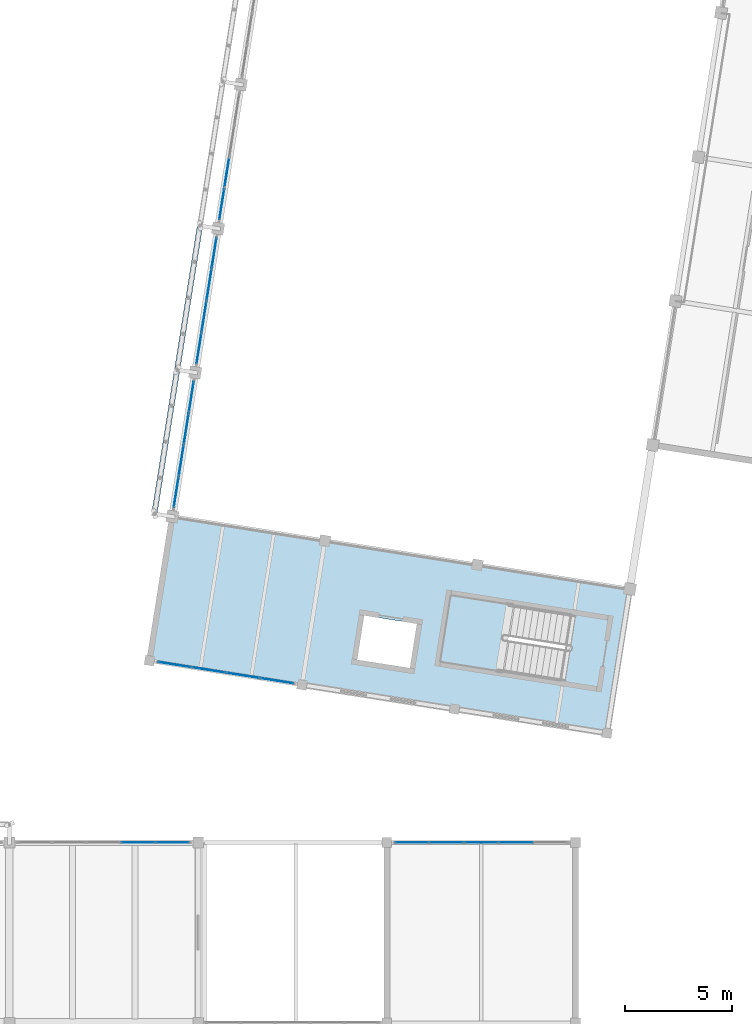
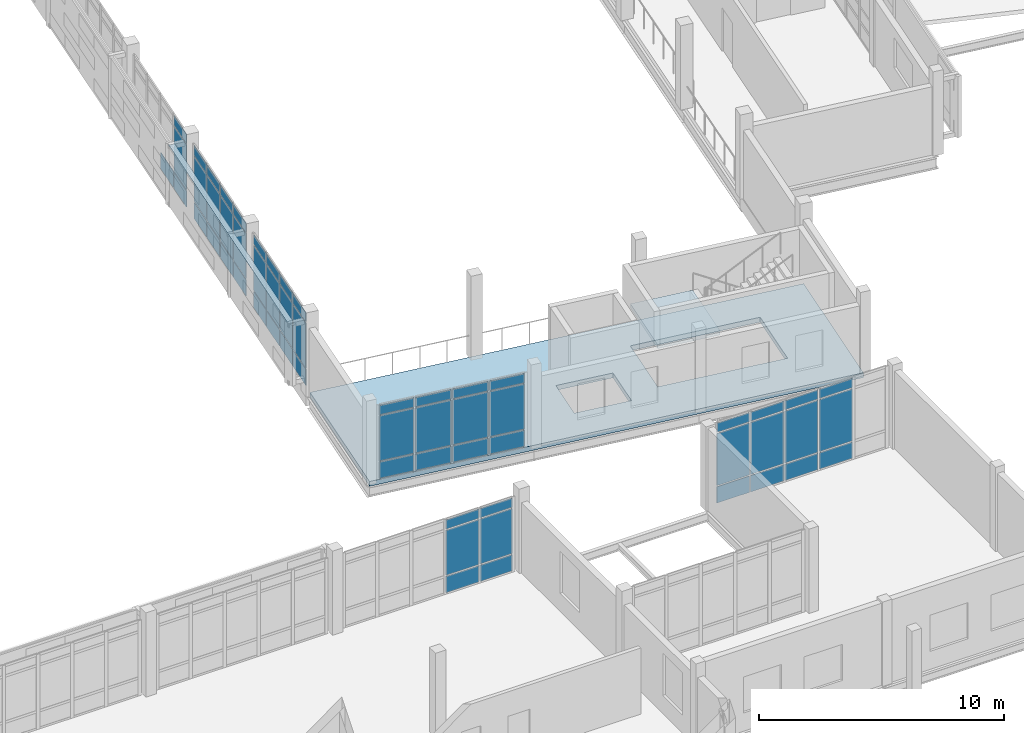
# One storey, part 97 of 137: 60 plates, 2 slabs, 7 elements without a shape of their own.
"""IFC4 building model written with IfcOpenShell, lengths in metres."""

from ifc_helpers import new_model, si_unit, direction, frame, origin, origin_2d, place, context, subcontext, project, spatial, polyline, rectangle, outline, extrude, material, layer, layer_set, type_object, element, aggregate, save


model = new_model("IFC4")

# Units and contexts
model_context = context("Model", 3, precision=1e-05, world=origin(), true_north=direction((0.0, 1.0)))
body_context = subcontext(model_context, "Body", "Model", "MODEL_VIEW")
ifc_project = project(units=[si_unit("LENGTHUNIT", "METRE"), si_unit("AREAUNIT", "SQUARE_METRE"), si_unit("VOLUMEUNIT", "CUBIC_METRE"), si_unit("PLANEANGLEUNIT", "RADIAN"), si_unit("MASSUNIT", "GRAM", prefix="KILO")], contexts=[model_context])

# Site, building, storey
site_placement = place(None, origin())
site = spatial("IfcSite", under=ifc_project, at=site_placement, CompositionType="ELEMENT")
building_placement = place(site_placement, origin())
building = spatial("IfcBuilding", under=site, at=building_placement, Name="Cinderway Yard Community Centre", CompositionType="ELEMENT")
storey_placement = place(building_placement, frame((0.0, 0.0, 4.800048828125)))
storey = spatial("IfcBuildingStorey", under=building, at=storey_placement, Name="L01", CompositionType="ELEMENT", Elevation=4.800048828125)

# Curtain wall, plates
ifc_material_1 = material(Name="Aluminium 6063-T6", Category="aluminium")
curtain_wall_type_1 = type_object("IfcCurtainWallType", Name="ENV-CW-TYPE-15", PredefinedType="USERDEFINED", material=ifc_material_1)
curtain_wall_1_placement = place(storey_placement, origin())
curtain_wall_1 = element("IfcCurtainWall", 1, at=curtain_wall_1_placement, inside=storey, type_object=curtain_wall_type_1, Name="Sports South Lobby Curtain Wall ENV-CW-L01-ST-0057", ObjectType="GLAZED CURTAIN WALL", PredefinedType="USERDEFINED")
ifc_material_2 = material(Name="Laminated Low-E Glass", Category="glass")
ifc_layer_1 = layer(ifc_material_2, 0.028076171875, Name="Laminated Low-E Glass")
ifc_layer_set_1 = layer_set([ifc_layer_1], Name="Laminated Low-E Glass")
plate_type_1 = type_object("IfcPlateType", Name="ENV-CW-PAN-IGU28", PredefinedType="CURTAIN_PANEL", material=ifc_layer_set_1)
plate_1_placement = place(storey_placement, frame((118.10693359375, 31.098876953125, 0.059814453125), z_axis=(0.0, 0.0, 1.0), x_axis=(0.987656379077, -0.156636128875, 0.0)))
plate_1 = element("IfcPlate", 2, at=plate_1_placement, type_object=plate_type_1, Name="CW-15 panel 1.1", PredefinedType="CURTAIN_PANEL", context=body_context, shape_type="SweptSolid", body=[
    extrude(rectangle(XDim=1.530029296875, YDim=0.028076171875, at=origin_2d()), origin(), (0.0, 0.0, 1.0), 0.81005859375),
])
plate_2_placement = place(storey_placement, frame((118.10693359375, 31.098876953125, 0.93017578125), z_axis=(0.0, 0.0, 1.0), x_axis=(0.987656379077, -0.156636128875, 0.0)))
plate_2 = element("IfcPlate", 3, at=plate_2_placement, type_object=plate_type_1, Name="CW-15 panel 1.2", PredefinedType="CURTAIN_PANEL", context=body_context, shape_type="SweptSolid", body=[
    extrude(rectangle(XDim=1.530029296875, YDim=0.028076171875, at=origin_2d()), origin(), (0.0, 0.0, 1.0), 2.239990234375),
])
plate_3_placement = place(storey_placement, frame((118.10693359375, 31.098876953125, 3.22998046875), z_axis=(0.0, 0.0, 1.0), x_axis=(0.987656379077, -0.156636128875, 0.0)))
plate_3 = element("IfcPlate", 4, at=plate_3_placement, type_object=plate_type_1, Name="CW-15 panel 1.3", PredefinedType="CURTAIN_PANEL", context=body_context, shape_type="SweptSolid", body=[
    extrude(rectangle(XDim=1.530029296875, YDim=0.028076171875, at=origin_2d()), origin(), (0.0, 0.0, 1.0), 0.4599609375),
])
plate_4_placement = place(storey_placement, frame((119.69189453125, 30.847412109375, 0.059814453125), z_axis=(0.0, 0.0, 1.0), x_axis=(0.987656379077, -0.156636128875, 0.0)))
plate_4 = element("IfcPlate", 5, at=plate_4_placement, type_object=plate_type_1, Name="CW-15 panel 2.1", PredefinedType="CURTAIN_PANEL", context=body_context, shape_type="SweptSolid", body=[
    extrude(rectangle(XDim=1.56005859375, YDim=0.028076171875, at=origin_2d()), origin(), (0.0, 0.0, 1.0), 0.81005859375),
])
plate_5_placement = place(storey_placement, frame((119.69189453125, 30.847412109375, 0.93017578125), z_axis=(0.0, 0.0, 1.0), x_axis=(0.987656379077, -0.156636128875, 0.0)))
plate_5 = element("IfcPlate", 6, at=plate_5_placement, type_object=plate_type_1, Name="CW-15 panel 2.2", PredefinedType="CURTAIN_PANEL", context=body_context, shape_type="SweptSolid", body=[
    extrude(rectangle(XDim=1.56005859375, YDim=0.028076171875, at=origin_2d()), origin(), (0.0, 0.0, 1.0), 2.239990234375),
])
plate_6_placement = place(storey_placement, frame((119.69189453125, 30.847412109375, 3.22998046875), z_axis=(0.0, 0.0, 1.0), x_axis=(0.987656379077, -0.156636128875, 0.0)))
plate_6 = element("IfcPlate", 7, at=plate_6_placement, type_object=plate_type_1, Name="CW-15 panel 2.3", PredefinedType="CURTAIN_PANEL", context=body_context, shape_type="SweptSolid", body=[
    extrude(rectangle(XDim=1.56005859375, YDim=0.028076171875, at=origin_2d()), origin(), (0.0, 0.0, 1.0), 0.4599609375),
])
plate_7_placement = place(storey_placement, frame((121.2919921875, 30.593505859375, 0.059814453125), z_axis=(0.0, 0.0, 1.0), x_axis=(0.987656379077, -0.156636128875, 0.0)))
plate_7 = element("IfcPlate", 8, at=plate_7_placement, type_object=plate_type_1, Name="CW-15 panel 3.1", PredefinedType="CURTAIN_PANEL", context=body_context, shape_type="SweptSolid", body=[
    extrude(rectangle(XDim=1.56005859375, YDim=0.028076171875, at=origin_2d()), origin(), (0.0, 0.0, 1.0), 0.81005859375),
])
plate_8_placement = place(storey_placement, frame((121.2919921875, 30.593505859375, 0.93017578125), z_axis=(0.0, 0.0, 1.0), x_axis=(0.987656379077, -0.156636128875, 0.0)))
plate_8 = element("IfcPlate", 9, at=plate_8_placement, type_object=plate_type_1, Name="CW-15 panel 3.2", PredefinedType="CURTAIN_PANEL", context=body_context, shape_type="SweptSolid", body=[
    extrude(rectangle(XDim=1.56005859375, YDim=0.028076171875, at=origin_2d()), origin(), (0.0, 0.0, 1.0), 2.239990234375),
])
plate_9_placement = place(storey_placement, frame((121.2919921875, 30.593505859375, 3.22998046875), z_axis=(0.0, 0.0, 1.0), x_axis=(0.987656379077, -0.156636128875, 0.0)))
plate_9 = element("IfcPlate", 10, at=plate_9_placement, type_object=plate_type_1, Name="CW-15 panel 3.3", PredefinedType="CURTAIN_PANEL", context=body_context, shape_type="SweptSolid", body=[
    extrude(rectangle(XDim=1.56005859375, YDim=0.028076171875, at=origin_2d()), origin(), (0.0, 0.0, 1.0), 0.4599609375),
])
plate_10_placement = place(storey_placement, frame((122.877197265625, 30.34228515625, 0.059814453125), z_axis=(0.0, 0.0, 1.0), x_axis=(0.987656379077, -0.156636128875, 0.0)))
plate_10 = element("IfcPlate", 11, at=plate_10_placement, type_object=plate_type_1, Name="CW-15 panel 4.1", PredefinedType="CURTAIN_PANEL", context=body_context, shape_type="SweptSolid", body=[
    extrude(rectangle(XDim=1.530029296875, YDim=0.028076171875, at=origin_2d()), origin(), (0.0, 0.0, 1.0), 0.81005859375),
])
plate_11_placement = place(storey_placement, frame((122.877197265625, 30.34228515625, 0.93017578125), z_axis=(0.0, 0.0, 1.0), x_axis=(0.987656379077, -0.156636128875, 0.0)))
plate_11 = element("IfcPlate", 12, at=plate_11_placement, type_object=plate_type_1, Name="CW-15 panel 4.2", PredefinedType="CURTAIN_PANEL", context=body_context, shape_type="SweptSolid", body=[
    extrude(rectangle(XDim=1.530029296875, YDim=0.028076171875, at=origin_2d()), origin(), (0.0, 0.0, 1.0), 2.239990234375),
])
plate_12_placement = place(storey_placement, frame((122.877197265625, 30.34228515625, 3.22998046875), z_axis=(0.0, 0.0, 1.0), x_axis=(0.987656379077, -0.156636128875, 0.0)))
plate_12 = element("IfcPlate", 13, at=plate_12_placement, type_object=plate_type_1, Name="CW-15 panel 4.3", PredefinedType="CURTAIN_PANEL", context=body_context, shape_type="SweptSolid", body=[
    extrude(rectangle(XDim=1.530029296875, YDim=0.028076171875, at=origin_2d()), origin(), (0.0, 0.0, 1.0), 0.4599609375),
])
aggregate(curtain_wall_1, [plate_1, plate_2, plate_3, plate_4, plate_5, plate_6, plate_7, plate_8, plate_9, plate_10, plate_11, plate_12])

curtain_wall_type_2 = type_object("IfcCurtainWallType", Name="ENV-CW-TYPE-27", PredefinedType="USERDEFINED", material=ifc_material_1)
curtain_wall_2_placement = place(storey_placement, origin())
curtain_wall_2 = element("IfcCurtainWall", 14, at=curtain_wall_2_placement, inside=storey, type_object=curtain_wall_type_2, Name="Dining Courtyard Curtain Wall ENV-CW-L01-ST-0099", ObjectType="GLAZED CURTAIN WALL", PredefinedType="USERDEFINED")
plate_13_placement = place(storey_placement, frame((116.407958984375, 22.800048828125, 0.059814453125), z_axis=(0.0, 0.0, 1.0), x_axis=(1.0, 0.0, 0.0)))
plate_13 = element("IfcPlate", 15, at=plate_13_placement, type_object=plate_type_1, Name="CW-27 panel 4.1", PredefinedType="CURTAIN_PANEL", context=body_context, shape_type="SweptSolid", body=[
    extrude(rectangle(XDim=1.548095703125, YDim=0.028076171875, at=origin_2d()), origin(), (0.0, 0.0, 1.0), 0.81005859375),
])
plate_14_placement = place(storey_placement, frame((116.407958984375, 22.800048828125, 0.93017578125), z_axis=(0.0, 0.0, 1.0), x_axis=(1.0, 0.0, 0.0)))
plate_14 = element("IfcPlate", 16, at=plate_14_placement, type_object=plate_type_1, Name="CW-27 panel 4.2", PredefinedType="CURTAIN_PANEL", context=body_context, shape_type="SweptSolid", body=[
    extrude(rectangle(XDim=1.548095703125, YDim=0.028076171875, at=origin_2d()), origin(), (0.0, 0.0, 1.0), 2.239990234375),
])
plate_15_placement = place(storey_placement, frame((116.407958984375, 22.800048828125, 3.22998046875), z_axis=(0.0, 0.0, 1.0), x_axis=(1.0, 0.0, 0.0)))
plate_15 = element("IfcPlate", 17, at=plate_15_placement, type_object=plate_type_1, Name="CW-27 panel 4.3", PredefinedType="CURTAIN_PANEL", context=body_context, shape_type="SweptSolid", body=[
    extrude(rectangle(XDim=1.548095703125, YDim=0.028076171875, at=origin_2d()), origin(), (0.0, 0.0, 1.0), 0.4599609375),
])
plate_16_placement = place(storey_placement, frame((118.0009765625, 22.800048828125, 0.059814453125), z_axis=(0.0, 0.0, 1.0), x_axis=(1.0, 0.0, 0.0)))
plate_16 = element("IfcPlate", 18, at=plate_16_placement, type_object=plate_type_1, Name="CW-27 panel 5.1", PredefinedType="CURTAIN_PANEL", context=body_context, shape_type="SweptSolid", body=[
    extrude(rectangle(XDim=1.51806640625, YDim=0.028076171875, at=origin_2d()), origin(), (0.0, 0.0, 1.0), 0.81005859375),
])
plate_17_placement = place(storey_placement, frame((118.0009765625, 22.800048828125, 0.93017578125), z_axis=(0.0, 0.0, 1.0), x_axis=(1.0, 0.0, 0.0)))
plate_17 = element("IfcPlate", 19, at=plate_17_placement, type_object=plate_type_1, Name="CW-27 panel 5.2", PredefinedType="CURTAIN_PANEL", context=body_context, shape_type="SweptSolid", body=[
    extrude(rectangle(XDim=1.51806640625, YDim=0.028076171875, at=origin_2d()), origin(), (0.0, 0.0, 1.0), 2.239990234375),
])
plate_18_placement = place(storey_placement, frame((118.0009765625, 22.800048828125, 3.22998046875), z_axis=(0.0, 0.0, 1.0), x_axis=(1.0, 0.0, 0.0)))
plate_18 = element("IfcPlate", 20, at=plate_18_placement, type_object=plate_type_1, Name="CW-27 panel 5.3", PredefinedType="CURTAIN_PANEL", context=body_context, shape_type="SweptSolid", body=[
    extrude(rectangle(XDim=1.51806640625, YDim=0.028076171875, at=origin_2d()), origin(), (0.0, 0.0, 1.0), 0.4599609375),
])
aggregate(curtain_wall_2, [plate_13, plate_14, plate_15, plate_16, plate_17, plate_18])

curtain_wall_type_3 = type_object("IfcCurtainWallType", Name="ENV-CW-TYPE-37", PredefinedType="USERDEFINED", material=ifc_material_1)
curtain_wall_3_placement = place(storey_placement, origin())
curtain_wall_3 = element("IfcCurtainWall", 21, at=curtain_wall_3_placement, inside=storey, type_object=curtain_wall_type_3, Name="East Arcade Kiosk Curtain Wall ENV-CW-L01-ST-0202", ObjectType="GLAZED CURTAIN WALL", PredefinedType="USERDEFINED")
plate_19_placement = place(storey_placement, frame((129.175048828125, 22.800048828125, 0.059814453125), z_axis=(0.0, 0.0, 1.0), x_axis=(1.0, 0.0, 0.0)))
plate_19 = element("IfcPlate", 22, at=plate_19_placement, type_object=plate_type_1, Name="CW-37 panel 1.1", PredefinedType="CURTAIN_PANEL", context=body_context, shape_type="SweptSolid", body=[
    extrude(rectangle(XDim=1.530029296875, YDim=0.028076171875, at=origin_2d()), origin(), (0.0, 0.0, 1.0), 0.81005859375),
])
plate_20_placement = place(storey_placement, frame((129.175048828125, 22.800048828125, 0.9296875), z_axis=(0.0, 0.0, 1.0), x_axis=(1.0, 0.0, 0.0)))
plate_20 = element("IfcPlate", 23, at=plate_20_placement, type_object=plate_type_1, Name="CW-37 panel 1.2", PredefinedType="CURTAIN_PANEL", context=body_context, shape_type="SweptSolid", body=[
    extrude(rectangle(XDim=1.530029296875, YDim=0.028076171875, at=origin_2d()), origin(), (0.0, 0.0, 1.0), 2.590087890625),
])
plate_21_placement = place(storey_placement, frame((129.175048828125, 22.800048828125, 3.580078125), z_axis=(0.0, 0.0, 1.0), x_axis=(1.0, 0.0, 0.0)))
plate_21 = element("IfcPlate", 24, at=plate_21_placement, type_object=plate_type_1, Name="CW-37 panel 1.3", PredefinedType="CURTAIN_PANEL", context=body_context, shape_type="SweptSolid", body=[
    extrude(rectangle(XDim=1.530029296875, YDim=0.028076171875, at=origin_2d()), origin(), (0.0, 0.0, 1.0), 0.4599609375),
])
plate_22_placement = place(storey_placement, frame((130.780029296875, 22.800048828125, 0.059814453125), z_axis=(0.0, 0.0, 1.0), x_axis=(1.0, 0.0, 0.0)))
plate_22 = element("IfcPlate", 25, at=plate_22_placement, type_object=plate_type_1, Name="CW-37 panel 2.1", PredefinedType="CURTAIN_PANEL", context=body_context, shape_type="SweptSolid", body=[
    extrude(rectangle(XDim=1.56005859375, YDim=0.028076171875, at=origin_2d()), origin(), (0.0, 0.0, 1.0), 0.81005859375),
])
plate_23_placement = place(storey_placement, frame((130.780029296875, 22.800048828125, 0.9296875), z_axis=(0.0, 0.0, 1.0), x_axis=(1.0, 0.0, 0.0)))
plate_23 = element("IfcPlate", 26, at=plate_23_placement, type_object=plate_type_1, Name="CW-37 panel 2.2", PredefinedType="CURTAIN_PANEL", context=body_context, shape_type="SweptSolid", body=[
    extrude(rectangle(XDim=1.56005859375, YDim=0.028076171875, at=origin_2d()), origin(), (0.0, 0.0, 1.0), 2.590087890625),
])
plate_24_placement = place(storey_placement, frame((130.780029296875, 22.800048828125, 3.580078125), z_axis=(0.0, 0.0, 1.0), x_axis=(1.0, 0.0, 0.0)))
plate_24 = element("IfcPlate", 27, at=plate_24_placement, type_object=plate_type_1, Name="CW-37 panel 2.3", PredefinedType="CURTAIN_PANEL", context=body_context, shape_type="SweptSolid", body=[
    extrude(rectangle(XDim=1.56005859375, YDim=0.028076171875, at=origin_2d()), origin(), (0.0, 0.0, 1.0), 0.4599609375),
])
plate_25_placement = place(storey_placement, frame((132.39990234375, 22.800048828125, 0.059814453125), z_axis=(0.0, 0.0, 1.0), x_axis=(1.0, 0.0, 0.0)))
plate_25 = element("IfcPlate", 28, at=plate_25_placement, type_object=plate_type_1, Name="CW-37 panel 3.1", PredefinedType="CURTAIN_PANEL", context=body_context, shape_type="SweptSolid", body=[
    extrude(rectangle(XDim=1.56005859375, YDim=0.028076171875, at=origin_2d()), origin(), (0.0, 0.0, 1.0), 0.81005859375),
])
plate_26_placement = place(storey_placement, frame((132.39990234375, 22.800048828125, 0.9296875), z_axis=(0.0, 0.0, 1.0), x_axis=(1.0, 0.0, 0.0)))
plate_26 = element("IfcPlate", 29, at=plate_26_placement, type_object=plate_type_1, Name="CW-37 panel 3.2", PredefinedType="CURTAIN_PANEL", context=body_context, shape_type="SweptSolid", body=[
    extrude(rectangle(XDim=1.56005859375, YDim=0.028076171875, at=origin_2d()), origin(), (0.0, 0.0, 1.0), 2.590087890625),
])
plate_27_placement = place(storey_placement, frame((132.39990234375, 22.800048828125, 3.580078125), z_axis=(0.0, 0.0, 1.0), x_axis=(1.0, 0.0, 0.0)))
plate_27 = element("IfcPlate", 30, at=plate_27_placement, type_object=plate_type_1, Name="CW-37 panel 3.3", PredefinedType="CURTAIN_PANEL", context=body_context, shape_type="SweptSolid", body=[
    extrude(rectangle(XDim=1.56005859375, YDim=0.028076171875, at=origin_2d()), origin(), (0.0, 0.0, 1.0), 0.4599609375),
])
plate_28_placement = place(storey_placement, frame((134.02001953125, 22.800048828125, 0.059814453125), z_axis=(0.0, 0.0, 1.0), x_axis=(1.0, 0.0, 0.0)))
plate_28 = element("IfcPlate", 31, at=plate_28_placement, type_object=plate_type_1, Name="CW-37 panel 4.1", PredefinedType="CURTAIN_PANEL", context=body_context, shape_type="SweptSolid", body=[
    extrude(rectangle(XDim=1.56005859375, YDim=0.028076171875, at=origin_2d()), origin(), (0.0, 0.0, 1.0), 0.81005859375),
])
plate_29_placement = place(storey_placement, frame((134.02001953125, 22.800048828125, 0.9296875), z_axis=(0.0, 0.0, 1.0), x_axis=(1.0, 0.0, 0.0)))
plate_29 = element("IfcPlate", 32, at=plate_29_placement, type_object=plate_type_1, Name="CW-37 panel 4.2", PredefinedType="CURTAIN_PANEL", context=body_context, shape_type="SweptSolid", body=[
    extrude(rectangle(XDim=1.56005859375, YDim=0.028076171875, at=origin_2d()), origin(), (0.0, 0.0, 1.0), 2.590087890625),
])
plate_30_placement = place(storey_placement, frame((134.02001953125, 22.800048828125, 3.580078125), z_axis=(0.0, 0.0, 1.0), x_axis=(1.0, 0.0, 0.0)))
plate_30 = element("IfcPlate", 33, at=plate_30_placement, type_object=plate_type_1, Name="CW-37 panel 4.3", PredefinedType="CURTAIN_PANEL", context=body_context, shape_type="SweptSolid", body=[
    extrude(rectangle(XDim=1.56005859375, YDim=0.028076171875, at=origin_2d()), origin(), (0.0, 0.0, 1.0), 0.4599609375),
])
aggregate(curtain_wall_3, [plate_19, plate_20, plate_21, plate_22, plate_23, plate_24, plate_25, plate_26, plate_27, plate_28, plate_29, plate_30])

curtain_wall_type_4 = type_object("IfcCurtainWallType", Name="ENV-CW-TYPE-14", PredefinedType="USERDEFINED", material=ifc_material_1)
curtain_wall_4_placement = place(storey_placement, origin())
curtain_wall_4 = element("IfcCurtainWall", 34, at=curtain_wall_4_placement, inside=storey, type_object=curtain_wall_type_4, Name="Sports Hall Courtyard Curtain Wall ENV-CW-L01-HS-0051", ObjectType="GLAZED CURTAIN WALL", PredefinedType="USERDEFINED")
ifc_layer_2 = layer(ifc_material_2, 0.031982421875, Name="Laminated Low-E Glass")
ifc_layer_set_2 = layer_set([ifc_layer_2], Name="Laminated Low-E Glass")
plate_type_2 = type_object("IfcPlateType", Name="ENV-CW-PAN-IGU32", PredefinedType="CURTAIN_PANEL", material=ifc_layer_set_2)
plate_31_placement = place(storey_placement, frame((118.1796875, 39.135498046875, 0.059814453125), z_axis=(0.0, 0.0, 1.0), x_axis=(0.156608625643, 0.987660740525, 0.0)))
plate_31 = element("IfcPlate", 35, at=plate_31_placement, type_object=plate_type_2, Name="CW-14 panel 1.1", PredefinedType="CURTAIN_PANEL", context=body_context, shape_type="SweptSolid", body=[
    extrude(rectangle(XDim=1.420166015625, YDim=0.028076171875, at=origin_2d()), origin(), (0.0, 0.0, 1.0), 0.81005859375),
])
plate_32_placement = place(storey_placement, frame((118.1796875, 39.135498046875, 0.93017578125), z_axis=(0.0, 0.0, 1.0), x_axis=(0.156608625643, 0.987660740525, 0.0)))
plate_32 = element("IfcPlate", 36, at=plate_32_placement, type_object=plate_type_2, Name="CW-14 panel 1.2", PredefinedType="CURTAIN_PANEL", context=body_context, shape_type="SweptSolid", body=[
    extrude(rectangle(XDim=1.420166015625, YDim=0.028076171875, at=origin_2d()), origin(), (0.0, 0.0, 1.0), 2.239990234375),
])
plate_33_placement = place(storey_placement, frame((118.1796875, 39.135498046875, 3.22998046875), z_axis=(0.0, 0.0, 1.0), x_axis=(0.156608625643, 0.987660740525, 0.0)))
plate_33 = element("IfcPlate", 37, at=plate_33_placement, type_object=plate_type_2, Name="CW-14 panel 1.3", PredefinedType="CURTAIN_PANEL", context=body_context, shape_type="SweptSolid", body=[
    extrude(rectangle(XDim=1.420166015625, YDim=0.028076171875, at=origin_2d()), origin(), (0.0, 0.0, 1.0), 0.4599609375),
])
plate_34_placement = place(storey_placement, frame((118.413818359375, 40.6123046875, 0.059814453125), z_axis=(0.0, 0.0, 1.0), x_axis=(0.156608625643, 0.987660740525, 0.0)))
plate_34 = element("IfcPlate", 38, at=plate_34_placement, type_object=plate_type_2, Name="CW-14 panel 2.1", PredefinedType="CURTAIN_PANEL", context=body_context, shape_type="SweptSolid", body=[
    extrude(rectangle(XDim=1.4501953125, YDim=0.028076171875, at=origin_2d()), origin(), (0.0, 0.0, 1.0), 0.81005859375),
])
plate_35_placement = place(storey_placement, frame((118.413818359375, 40.6123046875, 0.93017578125), z_axis=(0.0, 0.0, 1.0), x_axis=(0.156608625643, 0.987660740525, 0.0)))
plate_35 = element("IfcPlate", 39, at=plate_35_placement, type_object=plate_type_2, Name="CW-14 panel 2.2", PredefinedType="CURTAIN_PANEL", context=body_context, shape_type="SweptSolid", body=[
    extrude(rectangle(XDim=1.4501953125, YDim=0.028076171875, at=origin_2d()), origin(), (0.0, 0.0, 1.0), 2.239990234375),
])
plate_36_placement = place(storey_placement, frame((118.413818359375, 40.6123046875, 3.22998046875), z_axis=(0.0, 0.0, 1.0), x_axis=(0.156608625643, 0.987660740525, 0.0)))
plate_36 = element("IfcPlate", 40, at=plate_36_placement, type_object=plate_type_2, Name="CW-14 panel 2.3", PredefinedType="CURTAIN_PANEL", context=body_context, shape_type="SweptSolid", body=[
    extrude(rectangle(XDim=1.4501953125, YDim=0.028076171875, at=origin_2d()), origin(), (0.0, 0.0, 1.0), 0.4599609375),
])
plate_37_placement = place(storey_placement, frame((118.650146484375, 42.103759765625, 0.059814453125), z_axis=(0.0, 0.0, 1.0), x_axis=(0.156608625643, 0.987660740525, 0.0)))
plate_37 = element("IfcPlate", 41, at=plate_37_placement, type_object=plate_type_2, Name="CW-14 panel 3.1", PredefinedType="CURTAIN_PANEL", context=body_context, shape_type="SweptSolid", body=[
    extrude(rectangle(XDim=1.4501953125, YDim=0.028076171875, at=origin_2d()), origin(), (0.0, 0.0, 1.0), 0.81005859375),
])
plate_38_placement = place(storey_placement, frame((118.650146484375, 42.103759765625, 0.93017578125), z_axis=(0.0, 0.0, 1.0), x_axis=(0.156608625643, 0.987660740525, 0.0)))
plate_38 = element("IfcPlate", 42, at=plate_38_placement, type_object=plate_type_2, Name="CW-14 panel 3.2", PredefinedType="CURTAIN_PANEL", context=body_context, shape_type="SweptSolid", body=[
    extrude(rectangle(XDim=1.4501953125, YDim=0.028076171875, at=origin_2d()), origin(), (0.0, 0.0, 1.0), 2.239990234375),
])
plate_39_placement = place(storey_placement, frame((118.650146484375, 42.103759765625, 3.22998046875), z_axis=(0.0, 0.0, 1.0), x_axis=(0.156608625643, 0.987660740525, 0.0)))
plate_39 = element("IfcPlate", 43, at=plate_39_placement, type_object=plate_type_2, Name="CW-14 panel 3.3", PredefinedType="CURTAIN_PANEL", context=body_context, shape_type="SweptSolid", body=[
    extrude(rectangle(XDim=1.4501953125, YDim=0.028076171875, at=origin_2d()), origin(), (0.0, 0.0, 1.0), 0.4599609375),
])
plate_40_placement = place(storey_placement, frame((118.884521484375, 43.580322265625, 0.059814453125), z_axis=(0.0, 0.0, 1.0), x_axis=(0.156608625643, 0.987660740525, 0.0)))
plate_40 = element("IfcPlate", 44, at=plate_40_placement, type_object=plate_type_2, Name="CW-14 panel 4.1", PredefinedType="CURTAIN_PANEL", context=body_context, shape_type="SweptSolid", body=[
    extrude(rectangle(XDim=1.420166015625, YDim=0.028076171875, at=origin_2d()), origin(), (0.0, 0.0, 1.0), 0.81005859375),
])
plate_41_placement = place(storey_placement, frame((118.884521484375, 43.580322265625, 0.93017578125), z_axis=(0.0, 0.0, 1.0), x_axis=(0.156608625643, 0.987660740525, 0.0)))
plate_41 = element("IfcPlate", 45, at=plate_41_placement, type_object=plate_type_2, Name="CW-14 panel 4.2", PredefinedType="CURTAIN_PANEL", context=body_context, shape_type="SweptSolid", body=[
    extrude(rectangle(XDim=1.420166015625, YDim=0.028076171875, at=origin_2d()), origin(), (0.0, 0.0, 1.0), 2.239990234375),
])
plate_42_placement = place(storey_placement, frame((118.884521484375, 43.580322265625, 3.22998046875), z_axis=(0.0, 0.0, 1.0), x_axis=(0.156608625643, 0.987660740525, 0.0)))
plate_42 = element("IfcPlate", 46, at=plate_42_placement, type_object=plate_type_2, Name="CW-14 panel 4.3", PredefinedType="CURTAIN_PANEL", context=body_context, shape_type="SweptSolid", body=[
    extrude(rectangle(XDim=1.420166015625, YDim=0.028076171875, at=origin_2d()), origin(), (0.0, 0.0, 1.0), 0.4599609375),
])
aggregate(curtain_wall_4, [plate_31, plate_32, plate_33, plate_34, plate_35, plate_36, plate_37, plate_38, plate_39, plate_40, plate_41, plate_42])

curtain_wall_5_placement = place(storey_placement, origin())
curtain_wall_5 = element("IfcCurtainWall", 47, at=curtain_wall_5_placement, inside=storey, type_object=curtain_wall_type_4, Name="Sports Hall Courtyard Curtain Wall ENV-CW-L01-HS-0052", ObjectType="GLAZED CURTAIN WALL", PredefinedType="USERDEFINED")
plate_43_placement = place(storey_placement, frame((119.24365234375, 45.851806640625, 0.059814453125), z_axis=(0.0, 0.0, 1.0), x_axis=(0.156583023401, 0.987664799809, 0.0)))
plate_43 = element("IfcPlate", 48, at=plate_43_placement, type_object=plate_type_2, Name="CW-14 panel 1.1", PredefinedType="CURTAIN_PANEL", context=body_context, shape_type="SweptSolid", body=[
    extrude(rectangle(XDim=1.42041015625, YDim=0.028076171875, at=origin_2d()), origin(), (0.0, 0.0, 1.0), 0.81005859375),
])
plate_44_placement = place(storey_placement, frame((119.24365234375, 45.851806640625, 0.93017578125), z_axis=(0.0, 0.0, 1.0), x_axis=(0.156583023401, 0.987664799809, 0.0)))
plate_44 = element("IfcPlate", 49, at=plate_44_placement, type_object=plate_type_2, Name="CW-14 panel 1.2", PredefinedType="CURTAIN_PANEL", context=body_context, shape_type="SweptSolid", body=[
    extrude(rectangle(XDim=1.42041015625, YDim=0.028076171875, at=origin_2d()), origin(), (0.0, 0.0, 1.0), 2.239990234375),
])
plate_45_placement = place(storey_placement, frame((119.24365234375, 45.851806640625, 3.22998046875), z_axis=(0.0, 0.0, 1.0), x_axis=(0.156583023401, 0.987664799809, 0.0)))
plate_45 = element("IfcPlate", 50, at=plate_45_placement, type_object=plate_type_2, Name="CW-14 panel 1.3", PredefinedType="CURTAIN_PANEL", context=body_context, shape_type="SweptSolid", body=[
    extrude(rectangle(XDim=1.42041015625, YDim=0.028076171875, at=origin_2d()), origin(), (0.0, 0.0, 1.0), 0.4599609375),
])
plate_46_placement = place(storey_placement, frame((119.477783203125, 47.32861328125, 0.059814453125), z_axis=(0.0, 0.0, 1.0), x_axis=(0.156583023401, 0.987664799809, 0.0)))
plate_46 = element("IfcPlate", 51, at=plate_46_placement, type_object=plate_type_2, Name="CW-14 panel 2.1", PredefinedType="CURTAIN_PANEL", context=body_context, shape_type="SweptSolid", body=[
    extrude(rectangle(XDim=1.450439453125, YDim=0.028076171875, at=origin_2d()), origin(), (0.0, 0.0, 1.0), 0.81005859375),
])
plate_47_placement = place(storey_placement, frame((119.477783203125, 47.32861328125, 0.93017578125), z_axis=(0.0, 0.0, 1.0), x_axis=(0.156583023401, 0.987664799809, 0.0)))
plate_47 = element("IfcPlate", 52, at=plate_47_placement, type_object=plate_type_2, Name="CW-14 panel 2.2", PredefinedType="CURTAIN_PANEL", context=body_context, shape_type="SweptSolid", body=[
    extrude(rectangle(XDim=1.450439453125, YDim=0.028076171875, at=origin_2d()), origin(), (0.0, 0.0, 1.0), 2.239990234375),
])
plate_48_placement = place(storey_placement, frame((119.477783203125, 47.32861328125, 3.22998046875), z_axis=(0.0, 0.0, 1.0), x_axis=(0.156583023401, 0.987664799809, 0.0)))
plate_48 = element("IfcPlate", 53, at=plate_48_placement, type_object=plate_type_2, Name="CW-14 panel 2.3", PredefinedType="CURTAIN_PANEL", context=body_context, shape_type="SweptSolid", body=[
    extrude(rectangle(XDim=1.450439453125, YDim=0.028076171875, at=origin_2d()), origin(), (0.0, 0.0, 1.0), 0.4599609375),
])
plate_49_placement = place(storey_placement, frame((119.71435546875, 48.8203125, 0.059814453125), z_axis=(0.0, 0.0, 1.0), x_axis=(0.156583023401, 0.987664799809, 0.0)))
plate_49 = element("IfcPlate", 54, at=plate_49_placement, type_object=plate_type_2, Name="CW-14 panel 3.1", PredefinedType="CURTAIN_PANEL", context=body_context, shape_type="SweptSolid", body=[
    extrude(rectangle(XDim=1.450439453125, YDim=0.028076171875, at=origin_2d()), origin(), (0.0, 0.0, 1.0), 0.81005859375),
])
plate_50_placement = place(storey_placement, frame((119.71435546875, 48.8203125, 0.93017578125), z_axis=(0.0, 0.0, 1.0), x_axis=(0.156583023401, 0.987664799809, 0.0)))
plate_50 = element("IfcPlate", 55, at=plate_50_placement, type_object=plate_type_2, Name="CW-14 panel 3.2", PredefinedType="CURTAIN_PANEL", context=body_context, shape_type="SweptSolid", body=[
    extrude(rectangle(XDim=1.450439453125, YDim=0.028076171875, at=origin_2d()), origin(), (0.0, 0.0, 1.0), 2.239990234375),
])
plate_51_placement = place(storey_placement, frame((119.71435546875, 48.8203125, 3.22998046875), z_axis=(0.0, 0.0, 1.0), x_axis=(0.156583023401, 0.987664799809, 0.0)))
plate_51 = element("IfcPlate", 56, at=plate_51_placement, type_object=plate_type_2, Name="CW-14 panel 3.3", PredefinedType="CURTAIN_PANEL", context=body_context, shape_type="SweptSolid", body=[
    extrude(rectangle(XDim=1.450439453125, YDim=0.028076171875, at=origin_2d()), origin(), (0.0, 0.0, 1.0), 0.4599609375),
])
plate_52_placement = place(storey_placement, frame((119.948486328125, 50.29736328125, 0.059814453125), z_axis=(0.0, 0.0, 1.0), x_axis=(0.156583023401, 0.987664799809, 0.0)))
plate_52 = element("IfcPlate", 57, at=plate_52_placement, type_object=plate_type_2, Name="CW-14 panel 4.1", PredefinedType="CURTAIN_PANEL", context=body_context, shape_type="SweptSolid", body=[
    extrude(rectangle(XDim=1.42041015625, YDim=0.028076171875, at=origin_2d()), origin(), (0.0, 0.0, 1.0), 0.81005859375),
])
plate_53_placement = place(storey_placement, frame((119.948486328125, 50.29736328125, 0.93017578125), z_axis=(0.0, 0.0, 1.0), x_axis=(0.156583023401, 0.987664799809, 0.0)))
plate_53 = element("IfcPlate", 58, at=plate_53_placement, type_object=plate_type_2, Name="CW-14 panel 4.2", PredefinedType="CURTAIN_PANEL", context=body_context, shape_type="SweptSolid", body=[
    extrude(rectangle(XDim=1.42041015625, YDim=0.028076171875, at=origin_2d()), origin(), (0.0, 0.0, 1.0), 2.239990234375),
])
plate_54_placement = place(storey_placement, frame((119.948486328125, 50.29736328125, 3.22998046875), z_axis=(0.0, 0.0, 1.0), x_axis=(0.156583023401, 0.987664799809, 0.0)))
plate_54 = element("IfcPlate", 59, at=plate_54_placement, type_object=plate_type_2, Name="CW-14 panel 4.3", PredefinedType="CURTAIN_PANEL", context=body_context, shape_type="SweptSolid", body=[
    extrude(rectangle(XDim=1.42041015625, YDim=0.028076171875, at=origin_2d()), origin(), (0.0, 0.0, 1.0), 0.4599609375),
])
aggregate(curtain_wall_5, [plate_43, plate_44, plate_45, plate_46, plate_47, plate_48, plate_49, plate_50, plate_51, plate_52, plate_53, plate_54])

curtain_wall_6_placement = place(storey_placement, origin())
curtain_wall_6 = element("IfcCurtainWall", 60, at=curtain_wall_6_placement, inside=storey, type_object=curtain_wall_type_4, Name="Sports Hall Courtyard Curtain Wall ENV-CW-L01-HS-0053", ObjectType="GLAZED CURTAIN WALL", PredefinedType="USERDEFINED")
plate_55_placement = place(storey_placement, frame((120.307373046875, 52.568603515625, 0.059814453125), z_axis=(0.0, 0.0, 1.0), x_axis=(0.1564471314, 0.987686334358, 0.0)))
plate_55 = element("IfcPlate", 61, at=plate_55_placement, type_object=plate_type_2, Name="CW-14 panel 1.1", PredefinedType="CURTAIN_PANEL", context=body_context, shape_type="SweptSolid", body=[
    extrude(rectangle(XDim=1.420166015625, YDim=0.028076171875, at=origin_2d()), origin(), (0.0, 0.0, 1.0), 0.81005859375),
])
plate_56_placement = place(storey_placement, frame((120.307373046875, 52.568603515625, 0.93017578125), z_axis=(0.0, 0.0, 1.0), x_axis=(0.1564471314, 0.987686334358, 0.0)))
plate_56 = element("IfcPlate", 62, at=plate_56_placement, type_object=plate_type_2, Name="CW-14 panel 1.2", PredefinedType="CURTAIN_PANEL", context=body_context, shape_type="SweptSolid", body=[
    extrude(rectangle(XDim=1.420166015625, YDim=0.028076171875, at=origin_2d()), origin(), (0.0, 0.0, 1.0), 2.239990234375),
])
plate_57_placement = place(storey_placement, frame((120.307373046875, 52.568603515625, 3.22998046875), z_axis=(0.0, 0.0, 1.0), x_axis=(0.1564471314, 0.987686334358, 0.0)))
plate_57 = element("IfcPlate", 63, at=plate_57_placement, type_object=plate_type_2, Name="CW-14 panel 1.3", PredefinedType="CURTAIN_PANEL", context=body_context, shape_type="SweptSolid", body=[
    extrude(rectangle(XDim=1.420166015625, YDim=0.028076171875, at=origin_2d()), origin(), (0.0, 0.0, 1.0), 0.4599609375),
])
plate_58_placement = place(storey_placement, frame((120.541259765625, 54.045166015625, 0.059814453125), z_axis=(0.0, 0.0, 1.0), x_axis=(0.1564471314, 0.987686334358, 0.0)))
plate_58 = element("IfcPlate", 64, at=plate_58_placement, type_object=plate_type_2, Name="CW-14 panel 2.1", PredefinedType="CURTAIN_PANEL", context=body_context, shape_type="SweptSolid", body=[
    extrude(rectangle(XDim=1.4501953125, YDim=0.028076171875, at=origin_2d()), origin(), (0.0, 0.0, 1.0), 0.81005859375),
])
aggregate(curtain_wall_6, [plate_55, plate_56, plate_57, plate_58])

# Plates
ifc_layer_3 = layer(ifc_material_1, 0.01611328125, Name="Aluminium 6063-T6")
ifc_layer_set_3 = layer_set([ifc_layer_3], Name="Aluminium 6063-T6")
plate_type_3 = type_object("IfcPlateType", Name="ENV-PLT-FASCIA16", PredefinedType="USERDEFINED", material=ifc_layer_set_3)
plate_59_placement = place(storey_placement, frame((117.69189453125, 41.490966796875, 3.7119140625), z_axis=(0.0, 0.0, 1.0), x_axis=(0.15643446504, 0.987688340595, 0.0)))
element("IfcPlate", 65, at=plate_59_placement, inside=storey, type_object=plate_type_3, Name="Screen coping fascia 0128", ObjectType="FASCIA PLATE", PredefinedType="USERDEFINED", context=body_context, shape_type="SweptSolid", body=[
    extrude(rectangle(XDim=6.699951171875, YDim=0.260009765625, at=origin_2d()), origin(), (0.0, 0.0, 1.0), 0.01611328125),
])
plate_60_placement = place(storey_placement, frame((118.756103515625, 48.20703125, 3.7119140625), z_axis=(0.0, 0.0, 1.0), x_axis=(0.15643446504, 0.987688340595, 0.0)))
element("IfcPlate", 66, at=plate_60_placement, inside=storey, type_object=plate_type_3, Name="Screen coping fascia 0129", ObjectType="FASCIA PLATE", PredefinedType="USERDEFINED", context=body_context, shape_type="SweptSolid", body=[
    extrude(rectangle(XDim=6.700927734375, YDim=0.260009765625, at=origin_2d()), origin(), (0.0, 0.0, 1.0), 0.01611328125),
])

# Stair, slab
ifc_material_3 = material(Name="Concrete C40/50", Category="concrete")
stair_type = type_object("IfcStairType", Name="INT-STR-420A", PredefinedType="HALF_TURN_STAIR", material=ifc_material_3)
stair_placement = place(storey_placement, origin())
stair = element("IfcStair", 67, at=stair_placement, inside=storey, type_object=stair_type, Name="L01 Core C4A Exit Stair ST-07", PredefinedType="HALF_TURN_STAIR")
ifc_layer_4 = layer(ifc_material_3, 0.199951171875, Name="Concrete C40/50")
ifc_layer_set_4 = layer_set([ifc_layer_4], Name="Concrete C40/50")
slab_type_1 = type_object("IfcSlabType", Name="INT-SLB-LND200", PredefinedType="LANDING", material=ifc_layer_set_4)
slab_1_placement = place(storey_placement, frame((0.0, 0.0, 1.89990234375)))
slab_1 = element("IfcSlab", 68, at=slab_1_placement, type_object=slab_type_1, Name="ST-07 landing 1", PredefinedType="LANDING", context=body_context, shape_type="SweptSolid", body=[
    extrude(outline(polyline([(133.681396484375, 33.896484375), (130.985107421875, 34.32373046875), (130.4970703125, 31.241943359375), (133.193359375, 30.81494140625), (133.681396484375, 33.896484375)])), origin(), (0.0, 0.0, 1.0), 0.199951171875),
])
aggregate(stair, [slab_1])

# Slab
ifc_material_4 = material(Name="Concrete C35/45", Category="concrete")
ifc_layer_5 = layer(ifc_material_4, 0.239990234375, Name="Concrete C35/45")
ifc_layer_set_5 = layer_set([ifc_layer_5], Name="Concrete C35/45")
slab_type_2 = type_object("IfcSlabType", Name="STR-SLAB-FLR-240", PredefinedType="FLOOR", material=ifc_layer_set_5)
slab_2_placement = place(storey_placement, frame((0.0, 0.0, -0.239990234375)))
element("IfcSlab", 69, at=slab_2_placement, inside=storey, type_object=slab_type_2, Name="V2 South Gallery Lobby Slab L01 STR-SLAB-L01-013", PredefinedType="FLOOR", context=body_context, shape_type="SweptSolid", body=[
    extrude(outline(polyline([(116.93603515625, 31.283935546875), (138.27001953125, 27.905029296875), (139.333984375, 34.62109375), (118.0, 38.0), (116.93603515625, 31.283935546875)]), holes=[polyline([(136.594970703125, 33.43603515625), (130.985107421875, 34.323974609375), (130.4970703125, 31.241943359375), (136.10693359375, 30.35400390625), (136.594970703125, 33.43603515625)]), polyline([(126.611083984375, 31.320068359375), (129.080078125, 30.928955078125), (129.408935546875, 33.00390625), (126.93994140625, 33.39501953125), (126.611083984375, 31.320068359375)])]), origin(), (0.0, 0.0, 1.0), 0.239990234375),
])

save(model, "model.ifc")
